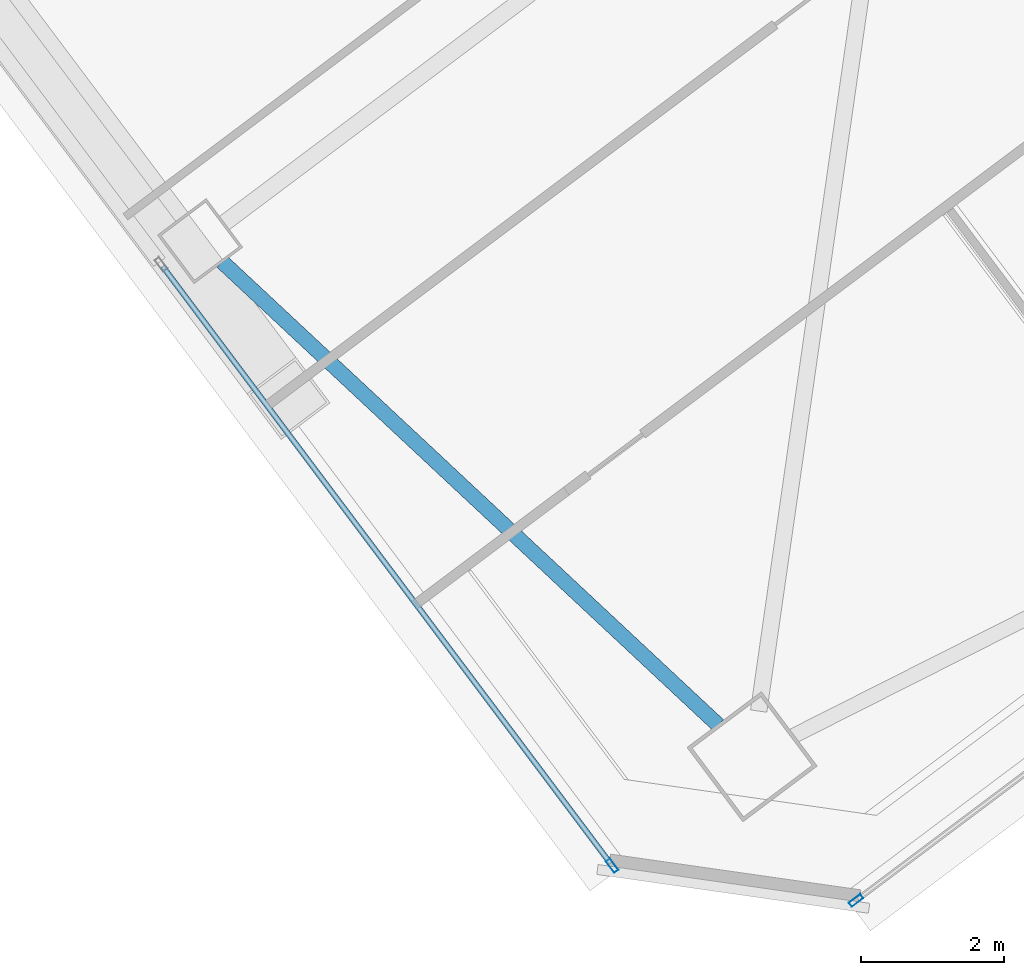
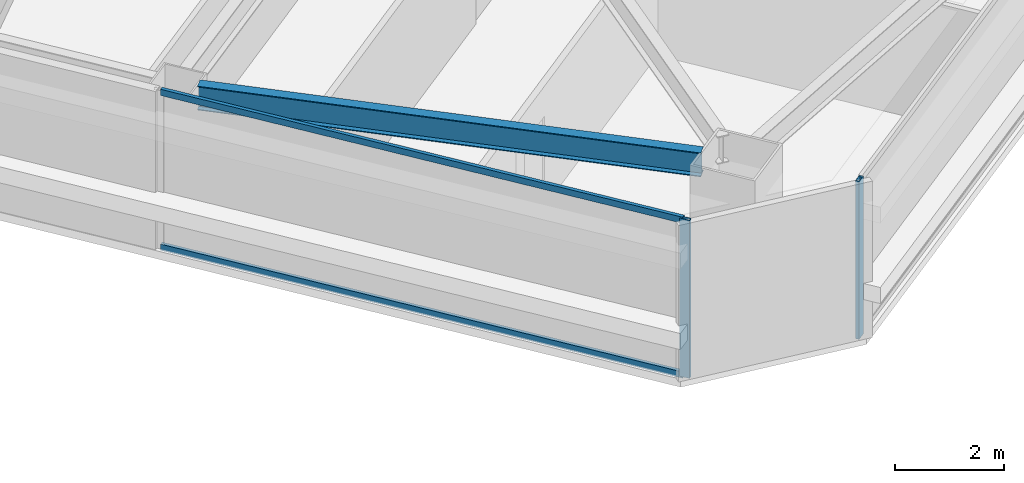
# One storey, part 21 of 50: 4 members, 1 beam, 2 elements without a shape of their own.
"""IFC4 building model written with IfcOpenShell, lengths in metres."""

from ifc_helpers import new_model, si_unit, direction, frame, origin, origin_2d, place, context, subcontext, project, spatial, hollow_rectangle, i_section, extrude, material, material_profile, profile_set, type_object, element, aggregate, save


model = new_model("IFC4")

# Units and contexts
model_context = context("Model", 3, precision=1e-05, world=origin(), true_north=direction((0.0, 1.0)))
body_context = subcontext(model_context, "Body", "Model", "MODEL_VIEW")
ifc_project = project(units=[si_unit("LENGTHUNIT", "METRE"), si_unit("AREAUNIT", "SQUARE_METRE"), si_unit("VOLUMEUNIT", "CUBIC_METRE"), si_unit("PLANEANGLEUNIT", "RADIAN"), si_unit("MASSUNIT", "GRAM", prefix="KILO")], contexts=[model_context])

# Site, building, storey
site_placement = place(None, origin())
site = spatial("IfcSite", under=ifc_project, at=site_placement, CompositionType="ELEMENT")
building_placement = place(site_placement, origin())
building = spatial("IfcBuilding", under=site, at=building_placement, Name="Tashvorn Skyway Center", CompositionType="ELEMENT")
storey_placement = place(building_placement, frame((0.0, 0.0, 114.39990234375)))
storey = spatial("IfcBuildingStorey", under=building, at=storey_placement, Name="L30", CompositionType="ELEMENT", Elevation=114.39990234375)

# Beam
ifc_material_1 = material(Name="Steel ASTM A992 Grade 50", Category="steel")
ifc_material_profile_1 = material_profile(ifc_material_1, i_section(OverallWidth=0.2109375, OverallDepth=0.5390625, WebThickness=0.01171875, FlangeThickness=0.018798828125, at=origin_2d()), Name="W21X73")
ifc_profile_set_1 = profile_set([ifc_material_profile_1], Name="Steel ASTM A992 Grade 50")
beam_type = type_object("IfcBeamType", Name="BM-SPANDREL-W21X73", PredefinedType="SPANDREL", material=ifc_profile_set_1)
beam_placement = place(storey_placement, frame((103.427001953125, 16.80322265625, 3.1005859375), z_axis=(0.730843250868, -0.682545341102, 0.0), x_axis=(0.682545341102, 0.730843250868, 0.0)))
element("IfcBeam", 1, at=beam_placement, inside=storey, type_object=beam_type, Name="Tower 2 L30 Spandrel Beam 12", PredefinedType="SPANDREL", context=body_context, shape_type="SweptSolid", body=[
    extrude(i_section(OverallWidth=0.2109375, OverallDepth=0.5390625, WebThickness=0.01171875, FlangeThickness=0.018798828125, at=origin_2d()), origin(), (0.0, 0.0, 1.0), 9.498046875),
])

# Curtain wall, member
ifc_material_2 = material(Name="Thermally broken bronze-anodized aluminium 6063-T6", Category="aluminium")
curtain_wall_type = type_object("IfcCurtainWallType", Name="CW-CW-Z3", PredefinedType="NOTDEFINED", material=ifc_material_2)
curtain_wall_1_placement = place(storey_placement, origin())
curtain_wall_1 = element("IfcCurtainWall", 2, at=curtain_wall_1_placement, inside=storey, type_object=curtain_wall_type, Name="Tower 2 L30 South Unitised Curtain Wall Glazing Group 2", PredefinedType="NOTDEFINED")
ifc_material_profile_2 = material_profile(ifc_material_2, hollow_rectangle(XDim=0.074951171875, YDim=0.199951171875, WallThickness=0.00439453125, at=origin_2d()), Name="ALU-MULL-75x200")
ifc_profile_set_2 = profile_set([ifc_material_profile_2], Name="Thermally broken bronze-anodized aluminium 6063-T6")
member_type_1 = type_object("IfcMemberType", Name="CWM-CW-Z3", PredefinedType="MULLION", material=ifc_profile_set_2)
member_1_placement = place(storey_placement, frame((112.2939453125, 7.87060546875, 0.0), z_axis=(0.0, 0.0, 1.0), x_axis=(0.600001511345, -0.799998866489, 0.0)))
member_1 = element("IfcMember", 3, at=member_1_placement, type_object=member_type_1, Name="CW-Z3 mullion 2", PredefinedType="MULLION", context=body_context, shape_type="SweptSolid", body=[
    extrude(hollow_rectangle(XDim=0.074951171875, YDim=0.199951171875, WallThickness=0.00439453125, at=origin_2d()), origin(), (0.0, 0.0, 1.0), 3.550048828125),
])
aggregate(curtain_wall_1, [member_1])

# Curtain wall, members
curtain_wall_2_placement = place(storey_placement, origin())
curtain_wall_2 = element("IfcCurtainWall", 4, at=curtain_wall_2_placement, inside=storey, type_object=curtain_wall_type, Name="Tower 2 L30 West Unitised Curtain Wall Glazing Group 1", PredefinedType="NOTDEFINED")
member_2_placement = place(storey_placement, frame((108.881591796875, 8.35791015625, 0.0), z_axis=(0.0, 0.0, 1.0), x_axis=(-0.799998866489, -0.600001511345, 0.0)))
member_2 = element("IfcMember", 5, at=member_2_placement, type_object=member_type_1, Name="CW-Z3 mullion 1", PredefinedType="MULLION", context=body_context, shape_type="SweptSolid", body=[
    extrude(hollow_rectangle(XDim=0.074951171875, YDim=0.199951171875, WallThickness=0.00439453125, at=origin_2d()), origin(), (0.0, 0.0, 1.0), 3.550048828125),
])
ifc_material_profile_3 = material_profile(ifc_material_2, hollow_rectangle(XDim=0.074951171875, YDim=0.139892578125, WallThickness=0.004150390625, at=origin_2d()), Name="ALU-TRAN-75x140")
ifc_profile_set_3 = profile_set([ifc_material_profile_3], Name="Thermally broken bronze-anodized aluminium 6063-T6")
member_type_2 = type_object("IfcMemberType", Name="CWT-CW-Z3", PredefinedType="USERDEFINED", material=ifc_profile_set_3)
member_3_placement = place(storey_placement, frame((108.85888671875, 8.387939453125, 0.03759765625), z_axis=(-0.599996257181, 0.800002807101, 0.0), x_axis=(-0.800002807101, -0.599996257181, 0.0)))
member_3 = element("IfcMember", 6, at=member_3_placement, type_object=member_type_2, Name="CW-Z3 transom 1.1", ObjectType="TRANSOM", PredefinedType="USERDEFINED", context=body_context, shape_type="SweptSolid", body=[
    extrude(hollow_rectangle(XDim=0.074951171875, YDim=0.139892578125, WallThickness=0.004150390625, at=origin_2d()), origin(), (0.0, 0.0, 1.0), 10.436767578125),
])
member_4_placement = place(storey_placement, frame((108.85888671875, 8.387939453125, 3.5126953125), z_axis=(-0.599996257181, 0.800002807101, 0.0), x_axis=(-0.800002807101, -0.599996257181, 0.0)))
member_4 = element("IfcMember", 7, at=member_4_placement, type_object=member_type_2, Name="CW-Z3 transom 1.2", ObjectType="TRANSOM", PredefinedType="USERDEFINED", context=body_context, shape_type="SweptSolid", body=[
    extrude(hollow_rectangle(XDim=0.074951171875, YDim=0.139892578125, WallThickness=0.004150390625, at=origin_2d()), origin(), (0.0, 0.0, 1.0), 10.436767578125),
])
aggregate(curtain_wall_2, [member_2, member_3, member_4])

save(model, "model.ifc")
